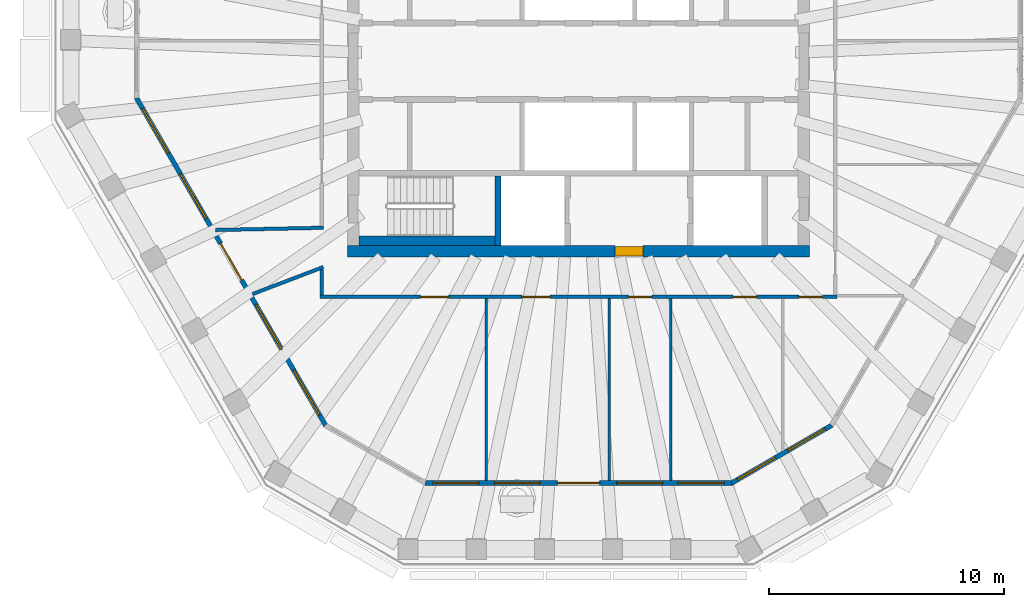
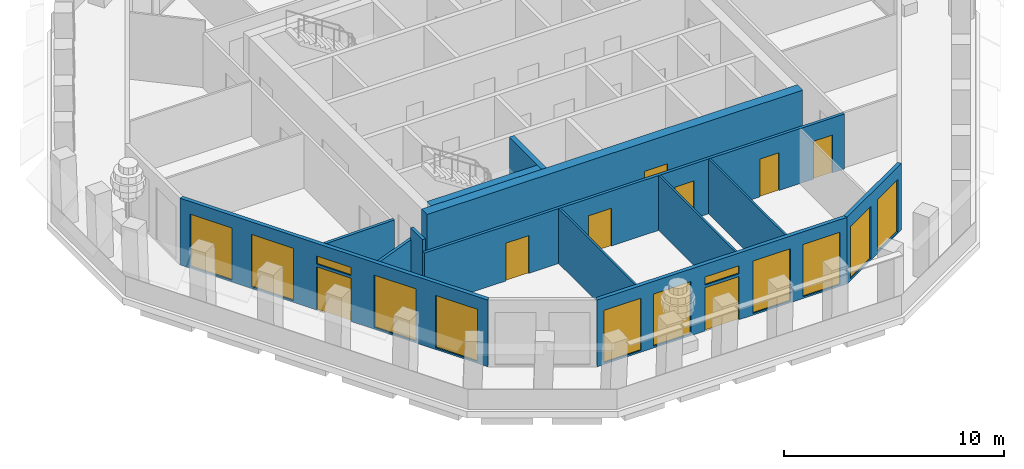
# One storey, part 3 of 11: 13 walls, 12 windows, 8 doors, 20 openings.
"""IFC4 building model written with IfcOpenShell, lengths in metres."""

from ifc_helpers import new_model, si_unit, direction, frame, frame_2d, origin, place, context, subcontext, project, spatial, polyline, rectangle, outline, extrude, material, layer, layer_set, type_object, element, fill, save


model = new_model("IFC4")

# Units and contexts
model_context = context("Model", 3, precision=1e-05, world=origin(), true_north=direction((0.0, 1.0)))
body_context = subcontext(model_context, "Body", "Model", "MODEL_VIEW")
ifc_project = project(units=[si_unit("LENGTHUNIT", "METRE"), si_unit("AREAUNIT", "SQUARE_METRE"), si_unit("VOLUMEUNIT", "CUBIC_METRE"), si_unit("PLANEANGLEUNIT", "RADIAN"), si_unit("MASSUNIT", "GRAM", prefix="KILO")], contexts=[model_context])

# Site, building, storey
site_placement = place(None, origin())
site = spatial("IfcSite", under=ifc_project, at=site_placement, CompositionType="ELEMENT")
building_placement = place(site_placement, origin())
building = spatial("IfcBuilding", under=site, at=building_placement, Name="Frailejon Research Tower", CompositionType="ELEMENT")
storey_placement = place(building_placement, frame((0.0, 0.0, 336.60009765625)))
storey = spatial("IfcBuildingStorey", under=building, at=storey_placement, Name="L75", CompositionType="ELEMENT", Elevation=336.60009765625)

# Wall, opening, door
ifc_material_1 = material(Name="Concrete C50/60", Category="concrete")
ifc_layer_1 = layer(ifc_material_1, 0.5)
ifc_layer_set_1 = layer_set([ifc_layer_1], Name="Core shear wall 500 C50/60")
wall_type_1 = type_object("IfcWallType", Name="Core shear wall 500 C50/60", PredefinedType="SHEAR", material=ifc_layer_set_1)
wall_1_placement = place(storey_placement, frame((-9.85009765625, -8.10009765625, 0.0), z_axis=(0.0, 0.0, 1.0), x_axis=(1.0, 0.0, 0.0)))
wall_1 = element("IfcWall", 1, at=wall_1_placement, inside=storey, type_object=wall_type_1, Name="Core shear wall", PredefinedType="SHEAR", context=body_context, shape_type="SweptSolid", body=[
    extrude(rectangle(XDim=19.7001953125, YDim=0.5, at=frame_2d((9.85009765625, 0.0))), origin(), (0.0, 0.0, 1.0), 3.699951171875),
])
opening_1_placement = place(wall_1_placement, frame((11.39990234375, 0.0, 0.0)))
opening_1 = element("IfcOpeningElement", 2, at=opening_1_placement, cuts=wall_1, Name="Opening D3", PredefinedType="OPENING", context=body_context, shape_type="SweptSolid", body=[
    extrude(rectangle(XDim=1.199951171875, YDim=2.10009765625, at=frame_2d((0.60009765625, 1.050048828125))), frame((0.0, 0.260009765625, 0.0), z_axis=(0.0, -1.0, 0.0), x_axis=(1.0, 0.0, 0.0)), (0.0, 0.0, 1.0), 0.52001953125),
])
ifc_material_2 = material(Name="Steel", Category="steel")
door_type_1 = type_object("IfcDoorType", Name="Firefighting lobby door", OperationType="SINGLE_SWING_LEFT", PredefinedType="DOOR", material=ifc_material_2)
door_1_placement = place(opening_1_placement, origin())
door_1 = element("IfcDoor", 3, at=door_1_placement, inside=storey, type_object=door_type_1, Name="Firefighting lobby door", OperationType="SINGLE_SWING_LEFT", OverallHeight=2.10009765625, OverallWidth=1.199951171875, PredefinedType="DOOR", context=body_context, shape_type="SweptSolid", body=[
    extrude(rectangle(XDim=1.199951171875, YDim=2.10009765625, at=frame_2d((0.60009765625, 1.050048828125))), frame((0.0, 0.199951171875, 0.0), z_axis=(0.0, -1.0, 0.0), x_axis=(1.0, 0.0, 0.0)), (0.0, 0.0, 1.0), 0.39990234375),
])
fill(opening_1, door_1)

# Wall
ifc_material_3 = material(Name="Gypsum board and masonry partition", Category="masonry")
ifc_layer_2 = layer(ifc_material_3, 0.14990234375)
ifc_layer_set_2 = layer_set([ifc_layer_2], Name="Corridor wall EI 60, gypsum on steel studs 150")
wall_type_2 = type_object("IfcWallType", Name="Corridor wall EI 60, gypsum on steel studs 150", PredefinedType="PARTITIONING", material=ifc_layer_set_2)
wall_2_placement = place(storey_placement, frame((-10.949951171875, -9.97509765625, 0.0), z_axis=(0.0, 0.0, 1.0), x_axis=(0.0, 1.0, 0.0)))
element("IfcWall", 4, at=wall_2_placement, inside=storey, type_object=wall_type_2, Name="T:IW:L75:006", PredefinedType="PARTITIONING", context=body_context, shape_type="SweptSolid", body=[
    extrude(rectangle(XDim=1.10009765625, YDim=0.14990234375, at=frame_2d((0.550048828125, 0.0))), origin(), (0.0, 0.0, 1.0), 3.699951171875),
])

# Wall, openings, doors
wall_3_placement = place(storey_placement, frame((-11.02490234375, -10.050048828125, 0.0), z_axis=(0.0, 0.0, 1.0), x_axis=(1.0, 0.0, 0.0)))
wall_3 = element("IfcWall", 5, at=wall_3_placement, inside=storey, type_object=wall_type_2, Name="T:IW:L75:008", PredefinedType="PARTITIONING", context=body_context, shape_type="SweptSolid", body=[
    extrude(rectangle(XDim=22.0498046875, YDim=0.14990234375, at=frame_2d((11.02490234375, 0.0))), origin(), (0.0, 0.0, 1.0), 3.0498046875),
])
opening_2_placement = place(wall_3_placement, frame((4.285888671875, 0.0, 0.0)))
opening_2 = element("IfcOpeningElement", 6, at=opening_2_placement, cuts=wall_3, Name="Opening D2407", PredefinedType="OPENING", context=body_context, shape_type="SweptSolid", body=[
    extrude(rectangle(XDim=1.199951171875, YDim=2.10009765625, at=frame_2d((0.60009765625, 1.050048828125))), frame((0.0, 0.0849609375, 0.0), z_axis=(0.0, -1.0, 0.0), x_axis=(1.0, 0.0, 0.0)), (0.0, 0.0, 1.0), 0.169921875),
])
opening_3_placement = place(wall_3_placement, frame((8.6123046875, 0.0, 0.0)))
opening_3 = element("IfcOpeningElement", 7, at=opening_3_placement, cuts=wall_3, Name="Opening D2408", PredefinedType="OPENING", context=body_context, shape_type="SweptSolid", body=[
    extrude(rectangle(XDim=1.199951171875, YDim=2.10009765625, at=frame_2d((0.60009765625, 1.050048828125))), frame((0.0, 0.0849609375, 0.0), z_axis=(0.0, -1.0, 0.0), x_axis=(1.0, 0.0, 0.0)), (0.0, 0.0, 1.0), 0.169921875),
])
opening_4_placement = place(wall_3_placement, frame((13.147216796875, 0.0, 0.0)))
opening_4 = element("IfcOpeningElement", 8, at=opening_4_placement, cuts=wall_3, Name="Opening D2409", PredefinedType="OPENING", context=body_context, shape_type="SweptSolid", body=[
    extrude(rectangle(XDim=1.0, YDim=2.10009765625, at=frame_2d((0.5, 1.050048828125))), frame((0.0, 0.0849609375, 0.0), z_axis=(0.0, -1.0, 0.0), x_axis=(1.0, 0.0, 0.0)), (0.0, 0.0, 1.0), 0.169921875),
])
opening_5_placement = place(wall_3_placement, frame((17.61279296875, 0.0, 0.0)))
opening_5 = element("IfcOpeningElement", 9, at=opening_5_placement, cuts=wall_3, Name="Opening D2410", PredefinedType="OPENING", context=body_context, shape_type="SweptSolid", body=[
    extrude(rectangle(XDim=1.0, YDim=2.10009765625, at=frame_2d((0.5, 1.050048828125))), frame((0.0, 0.0849609375, 0.0), z_axis=(0.0, -1.0, 0.0), x_axis=(1.0, 0.0, 0.0)), (0.0, 0.0, 1.0), 0.169921875),
])
opening_6_placement = place(wall_3_placement, frame((20.418212890625, 0.0, 0.0)))
opening_6 = element("IfcOpeningElement", 10, at=opening_6_placement, cuts=wall_3, Name="Opening D2411", PredefinedType="OPENING", context=body_context, shape_type="SweptSolid", body=[
    extrude(rectangle(XDim=1.0, YDim=2.10009765625, at=frame_2d((0.5, 1.050048828125))), frame((0.0, 0.0849609375, 0.0), z_axis=(0.0, -1.0, 0.0), x_axis=(1.0, 0.0, 0.0)), (0.0, 0.0, 1.0), 0.169921875),
])
ifc_material_4 = material(Name="Timber door leaf", Category="wood")
door_type_2 = type_object("IfcDoorType", Name="Door single leaf, timber, steel frame 1000", OperationType="NOTDEFINED", PredefinedType="DOOR", material=ifc_material_4)
door_2_placement = place(opening_4_placement, origin())
door_2 = element("IfcDoor", 11, at=door_2_placement, inside=storey, type_object=door_type_2, Name="D2409", OperationType="SINGLE_SWING_LEFT", OverallHeight=2.10009765625, OverallWidth=1.0, PredefinedType="DOOR", context=body_context, shape_type="SweptSolid", body=[
    extrude(rectangle(XDim=1.0, YDim=2.10009765625, at=frame_2d((0.5, 1.050048828125))), frame((0.0, 0.02490234375, 0.0), z_axis=(0.0, -1.0, 0.0), x_axis=(1.0, 0.0, 0.0)), (0.0, 0.0, 1.0), 0.050048828125),
])
fill(opening_4, door_2)
door_3_placement = place(opening_5_placement, origin())
door_3 = element("IfcDoor", 12, at=door_3_placement, inside=storey, type_object=door_type_2, Name="D2410", OperationType="SINGLE_SWING_LEFT", OverallHeight=2.10009765625, OverallWidth=1.0, PredefinedType="DOOR", context=body_context, shape_type="SweptSolid", body=[
    extrude(rectangle(XDim=1.0, YDim=2.10009765625, at=frame_2d((0.5, 1.050048828125))), frame((0.0, 0.02490234375, 0.0), z_axis=(0.0, -1.0, 0.0), x_axis=(1.0, 0.0, 0.0)), (0.0, 0.0, 1.0), 0.050048828125),
])
fill(opening_5, door_3)
door_4_placement = place(opening_6_placement, origin())
door_4 = element("IfcDoor", 13, at=door_4_placement, inside=storey, type_object=door_type_2, Name="D2411", OperationType="SINGLE_SWING_RIGHT", OverallHeight=2.10009765625, OverallWidth=1.0, PredefinedType="DOOR", context=body_context, shape_type="SweptSolid", body=[
    extrude(rectangle(XDim=1.0, YDim=2.10009765625, at=frame_2d((0.5, 1.050048828125))), frame((0.0, 0.02490234375, 0.0), z_axis=(0.0, -1.0, 0.0), x_axis=(1.0, 0.0, 0.0)), (0.0, 0.0, 1.0), 0.050048828125),
])
fill(opening_6, door_4)
ifc_material_5 = material(Name="Timber door leaf", Category="wood")
door_type_3 = type_object("IfcDoorType", Name="Door single leaf, timber, steel frame 1200", OperationType="NOTDEFINED", PredefinedType="DOOR", material=ifc_material_5)
door_5_placement = place(opening_2_placement, origin())
door_5 = element("IfcDoor", 14, at=door_5_placement, inside=storey, type_object=door_type_3, Name="D2407", OperationType="DOUBLE_DOOR_SINGLE_SWING", OverallHeight=2.10009765625, OverallWidth=1.199951171875, PredefinedType="DOOR", context=body_context, shape_type="SweptSolid", body=[
    extrude(rectangle(XDim=1.199951171875, YDim=2.10009765625, at=frame_2d((0.60009765625, 1.050048828125))), frame((0.0, 0.02490234375, 0.0), z_axis=(0.0, -1.0, 0.0), x_axis=(1.0, 0.0, 0.0)), (0.0, 0.0, 1.0), 0.050048828125),
])
fill(opening_2, door_5)
door_6_placement = place(opening_3_placement, origin())
door_6 = element("IfcDoor", 15, at=door_6_placement, inside=storey, type_object=door_type_3, Name="D2408", OperationType="DOUBLE_DOOR_SINGLE_SWING", OverallHeight=2.10009765625, OverallWidth=1.199951171875, PredefinedType="DOOR", context=body_context, shape_type="SweptSolid", body=[
    extrude(rectangle(XDim=1.199951171875, YDim=2.10009765625, at=frame_2d((0.60009765625, 1.050048828125))), frame((0.0, 0.02490234375, 0.0), z_axis=(0.0, -1.0, 0.0), x_axis=(1.0, 0.0, 0.0)), (0.0, 0.0, 1.0), 0.050048828125),
])
fill(opening_3, door_6)

# Walls
wall_4_placement = place(storey_placement, frame((-15.4755859375, -7.19580078125, 0.0), z_axis=(0.0, 0.0, 1.0), x_axis=(0.999775909419, 0.02116910358, 0.0)))
element("IfcWall", 16, at=wall_4_placement, inside=storey, type_object=wall_type_2, Name="T:IW:L75:009", PredefinedType="PARTITIONING", context=body_context, shape_type="SweptSolid", body=[
    extrude(rectangle(XDim=4.6015625, YDim=0.14990234375, at=frame_2d((2.30078125, 0.0))), origin(), (0.0, 0.0, 1.0), 3.0498046875),
])
wall_5_placement = place(storey_placement, frame((-13.8984375, -9.927001953125, 0.0), z_axis=(0.0, 0.0, 1.0), x_axis=(0.934087409502, 0.357044410976, 0.0)))
element("IfcWall", 17, at=wall_5_placement, inside=storey, type_object=wall_type_2, Name="T:IW:L75:010", PredefinedType="PARTITIONING", context=body_context, shape_type="SweptSolid", body=[
    extrude(rectangle(XDim=3.2314453125, YDim=0.14990234375, at=frame_2d((1.61572265625, 0.0))), origin(), (0.0, 0.0, 1.0), 3.0498046875),
])
ifc_material_6 = material(Name="Gypsum board and masonry partition", Category="masonry")
ifc_layer_3 = layer(ifc_material_6, 0.10009765625)
ifc_layer_set_3 = layer_set([ifc_layer_3], Name="Partition, gypsum on steel studs 100")
wall_type_3 = type_object("IfcWallType", Name="Partition, gypsum on steel studs 100", PredefinedType="PARTITIONING", material=ifc_layer_set_3)
for number, where, z_axis, x_axis, name in (
    (18, (-3.933349609375, -17.8798828125, 0.0), (0.0, 0.0, 1.0), (0.0, 1.0, 0.0), "T:IW:L75:020"),
    (19, (1.31103515625, -17.8798828125, 0.0), (0.0, 0.0, 1.0), (0.0, 1.0, 0.0), "T:IW:L75:021"),
    (20, (3.933349609375, -17.8798828125, 0.0), (0.0, 0.0, 1.0), (0.0, 1.0, 0.0), "T:IW:L75:022"),
):
    element("IfcWall", number, at=place(storey_placement, frame(where, z_axis=z_axis, x_axis=x_axis)), inside=storey, type_object=wall_type_3, Name=name, PredefinedType="PARTITIONING", context=body_context, shape_type="SweptSolid", body=[
        extrude(rectangle(XDim=7.7548828125, YDim=0.10009765625, at=frame_2d((3.87744140625, 0.0))), origin(), (0.0, 0.0, 1.0), 3.0498046875),
    ])
ifc_material_7 = material(Name="Concrete C50/60", Category="concrete")
ifc_layer_4 = layer(ifc_material_7, 0.25)
ifc_layer_set_4 = layer_set([ifc_layer_4], Name="Shaft wall 250 C50/60")
wall_type_4 = type_object("IfcWallType", Name="Shaft wall 250 C50/60", PredefinedType="SOLIDWALL", material=ifc_layer_set_4)
wall_6_placement = place(storey_placement, frame((-3.425048828125, -7.85009765625, 0.0), z_axis=(0.0, 0.0, 1.0), x_axis=(0.0, 1.0, 0.0)))
element("IfcWall", 21, at=wall_6_placement, inside=storey, type_object=wall_type_4, Name="Shaft wall", PredefinedType="SOLIDWALL", context=body_context, shape_type="SweptSolid", body=[
    extrude(rectangle(XDim=2.9501953125, YDim=0.25, at=frame_2d((1.47509765625, 0.0))), origin(), (0.0, 0.0, 1.0), 3.699951171875),
])
ifc_material_8 = material(Name="Concrete C50/60", Category="concrete")
ifc_layer_5 = layer(ifc_material_8, 0.39990234375)
ifc_layer_set_5 = layer_set([ifc_layer_5], Name="Shaft wall 400 C50/60")
wall_type_5 = type_object("IfcWallType", Name="Shaft wall 400 C50/60", PredefinedType="SOLIDWALL", material=ifc_layer_set_5)
wall_7_placement = place(storey_placement, frame((-9.35009765625, -7.64990234375, 0.0), z_axis=(0.0, 0.0, 1.0), x_axis=(1.0, 0.0, 0.0)))
element("IfcWall", 22, at=wall_7_placement, inside=storey, type_object=wall_type_5, Name="Shaft wall", PredefinedType="SOLIDWALL", context=body_context, shape_type="SweptSolid", body=[
    extrude(rectangle(XDim=5.800048828125, YDim=0.39990234375, at=frame_2d((2.89990234375, 0.0))), origin(), (0.0, 0.0, 1.0), 3.699951171875),
])

# Wall, openings, door, windows
ifc_material_9 = material(Name="Concrete C40/50 precast window wall panel", Category="concrete")
ifc_layer_6 = layer(ifc_material_9, 0.199951171875)
ifc_layer_set_6 = layer_set([ifc_layer_6], Name="Window wall 200")
wall_type_6 = type_object("IfcWallType", Name="Window wall 200", PredefinedType="SOLIDWALL", material=ifc_layer_set_6)
wall_8_placement = place(storey_placement, frame((-18.83544921875, -1.575927734375, 0.0), z_axis=(0.0, 0.0, 1.0), x_axis=(0.49999800388, -0.866026556242, 0.0)))
wall_8 = element("IfcWall", 23, at=wall_8_placement, inside=storey, type_object=wall_type_6, Name="Exterior wall L75", PredefinedType="SOLIDWALL", context=body_context, shape_type="SweptSolid", body=[
    extrude(outline(polyline([(-0.02685546875, -0.10009765625), (0.983154296875, -0.10009765625), (1.9931640625, -0.10009765625), (3.003173828125, -0.10009765625), (4.01318359375, -0.10009765625), (5.02294921875, -0.10009765625), (6.032958984375, -0.10009765625), (7.04296875, -0.10009765625), (8.052978515625, -0.10009765625), (9.06298828125, -0.10009765625), (10.072998046875, -0.10009765625), (11.0830078125, -0.10009765625), (12.0927734375, -0.10009765625), (13.102783203125, -0.10009765625), (14.11279296875, -0.10009765625), (15.122802734375, -0.10009765625), (16.1328125, -0.10009765625), (16.0791015625, 0.10009765625), (15.075927734375, 0.10009765625), (14.072509765625, 0.10009765625), (13.0693359375, 0.10009765625), (12.06591796875, 0.10009765625), (11.062744140625, 0.10009765625), (10.0595703125, 0.10009765625), (9.05615234375, 0.10009765625), (8.052978515625, 0.10009765625), (7.0498046875, 0.10009765625), (6.04638671875, 0.10009765625), (5.043212890625, 0.10009765625), (4.0400390625, 0.10009765625), (3.03662109375, 0.10009765625), (2.033447265625, 0.10009765625), (1.030029296875, 0.10009765625), (0.02685546875, 0.10009765625), (-0.02685546875, -0.10009765625)])), origin(), (0.0, 0.0, 1.0), 3.699951171875),
])
opening_7_placement = place(wall_8_placement, frame((0.510498046875, 0.0, 0.10009765625)))
opening_7 = element("IfcOpeningElement", 24, at=opening_7_placement, cuts=wall_8, Name="Opening W28", PredefinedType="OPENING", context=body_context, shape_type="SweptSolid", body=[
    extrude(rectangle(XDim=2.199951171875, YDim=2.89990234375, at=frame_2d((1.10009765625, 1.449951171875))), frame((0.0, 0.10986328125, 0.0), z_axis=(0.0, -1.0, 0.0), x_axis=(1.0, 0.0, 0.0)), (0.0, 0.0, 1.0), 0.219970703125),
])
opening_8_placement = place(wall_8_placement, frame((3.731689453125, 0.0, 0.10009765625)))
opening_8 = element("IfcOpeningElement", 25, at=opening_8_placement, cuts=wall_8, Name="Opening W28", PredefinedType="OPENING", context=body_context, shape_type="SweptSolid", body=[
    extrude(rectangle(XDim=2.199951171875, YDim=2.89990234375, at=frame_2d((1.10009765625, 1.449951171875))), frame((0.0, 0.10986328125, 0.0), z_axis=(0.0, -1.0, 0.0), x_axis=(1.0, 0.0, 0.0)), (0.0, 0.0, 1.0), 0.219970703125),
])
opening_9_placement = place(wall_8_placement, frame((7.153076171875, 0.0, 0.0)))
opening_9 = element("IfcOpeningElement", 26, at=opening_9_placement, cuts=wall_8, Name="Opening LG75-4", PredefinedType="OPENING", context=body_context, shape_type="SweptSolid", body=[
    extrude(rectangle(XDim=1.800048828125, YDim=2.39990234375, at=frame_2d((0.89990234375, 1.199951171875))), frame((0.0, 0.10986328125, 0.0), z_axis=(0.0, -1.0, 0.0), x_axis=(1.0, 0.0, 0.0)), (0.0, 0.0, 1.0), 0.219970703125),
])
opening_10_placement = place(wall_8_placement, frame((7.153076171875, 0.0, 2.550048828125)))
opening_10 = element("IfcOpeningElement", 27, at=opening_10_placement, cuts=wall_8, Name="Opening W1", PredefinedType="OPENING", context=body_context, shape_type="SweptSolid", body=[
    extrude(rectangle(XDim=1.800048828125, YDim=0.449951171875, at=frame_2d((0.89990234375, 0.22509765625))), frame((0.0, 0.10986328125, 0.0), z_axis=(0.0, -1.0, 0.0), x_axis=(1.0, 0.0, 0.0)), (0.0, 0.0, 1.0), 0.219970703125),
])
opening_11_placement = place(wall_8_placement, frame((10.17431640625, 0.0, 0.10009765625)))
opening_11 = element("IfcOpeningElement", 28, at=opening_11_placement, cuts=wall_8, Name="Opening W28", PredefinedType="OPENING", context=body_context, shape_type="SweptSolid", body=[
    extrude(rectangle(XDim=2.199951171875, YDim=2.89990234375, at=frame_2d((1.10009765625, 1.449951171875))), frame((0.0, 0.10986328125, 0.0), z_axis=(0.0, -1.0, 0.0), x_axis=(1.0, 0.0, 0.0)), (0.0, 0.0, 1.0), 0.219970703125),
])
opening_12_placement = place(wall_8_placement, frame((13.3955078125, 0.0, 0.10009765625)))
opening_12 = element("IfcOpeningElement", 29, at=opening_12_placement, cuts=wall_8, Name="Opening W28", PredefinedType="OPENING", context=body_context, shape_type="SweptSolid", body=[
    extrude(rectangle(XDim=2.199951171875, YDim=2.89990234375, at=frame_2d((1.10009765625, 1.449951171875))), frame((0.0, 0.10986328125, 0.0), z_axis=(0.0, -1.0, 0.0), x_axis=(1.0, 0.0, 0.0)), (0.0, 0.0, 1.0), 0.219970703125),
])
ifc_material_10 = material(Name="Aluminium framed glazed door leaf", Category="aluminium")
door_type_4 = type_object("IfcDoorType", Name="Loggia door 1800x2400", OperationType="DOUBLE_DOOR_SINGLE_SWING", PredefinedType="DOOR", material=ifc_material_10)
door_7_placement = place(opening_9_placement, origin())
door_7 = element("IfcDoor", 30, at=door_7_placement, inside=storey, type_object=door_type_4, Name="Door LG75-4", OperationType="DOUBLE_DOOR_SINGLE_SWING", OverallHeight=2.39990234375, OverallWidth=1.800048828125, PredefinedType="DOOR", context=body_context, shape_type="SweptSolid", body=[
    extrude(rectangle(XDim=1.800048828125, YDim=2.39990234375, at=frame_2d((0.89990234375, 1.199951171875))), frame((0.0, 0.02490234375, 0.0), z_axis=(0.0, -1.0, 0.0), x_axis=(1.0, 0.0, 0.0)), (0.0, 0.0, 1.0), 0.050048828125),
])
fill(opening_9, door_7)
ifc_material_11 = material(Name="Aluminium framed double glazing", Category="aluminium")
window_type_1 = type_object("IfcWindowType", Name="Window 1800x450", PartitioningType="SINGLE_PANEL", PredefinedType="WINDOW", material=ifc_material_11)
window_1_placement = place(opening_10_placement, origin())
window_1 = element("IfcWindow", 31, at=window_1_placement, inside=storey, type_object=window_type_1, Name="Window L75", OverallHeight=0.449951171875, OverallWidth=1.800048828125, PartitioningType="SINGLE_PANEL", PredefinedType="WINDOW", context=body_context, shape_type="SweptSolid", body=[
    extrude(rectangle(XDim=1.800048828125, YDim=0.449951171875, at=frame_2d((0.89990234375, 0.22509765625))), frame((0.0, 0.030029296875, 0.0), z_axis=(0.0, -1.0, 0.0), x_axis=(1.0, 0.0, 0.0)), (0.0, 0.0, 1.0), 0.06005859375),
])
fill(opening_10, window_1)
ifc_material_12 = material(Name="Aluminium framed double glazing", Category="aluminium")
window_type_2 = type_object("IfcWindowType", Name="Window 2200x2900", PartitioningType="SINGLE_PANEL", PredefinedType="WINDOW", material=ifc_material_12)
window_2_placement = place(opening_7_placement, origin())
window_2 = element("IfcWindow", 32, at=window_2_placement, inside=storey, type_object=window_type_2, Name="Window L75", OverallHeight=2.89990234375, OverallWidth=2.199951171875, PartitioningType="SINGLE_PANEL", PredefinedType="WINDOW", context=body_context, shape_type="SweptSolid", body=[
    extrude(rectangle(XDim=2.199951171875, YDim=2.89990234375, at=frame_2d((1.10009765625, 1.449951171875))), frame((0.0, 0.030029296875, 0.0), z_axis=(0.0, -1.0, 0.0), x_axis=(1.0, 0.0, 0.0)), (0.0, 0.0, 1.0), 0.06005859375),
])
fill(opening_7, window_2)
window_3_placement = place(opening_8_placement, origin())
window_3 = element("IfcWindow", 33, at=window_3_placement, inside=storey, type_object=window_type_2, Name="Window L75", OverallHeight=2.89990234375, OverallWidth=2.199951171875, PartitioningType="SINGLE_PANEL", PredefinedType="WINDOW", context=body_context, shape_type="SweptSolid", body=[
    extrude(rectangle(XDim=2.199951171875, YDim=2.89990234375, at=frame_2d((1.10009765625, 1.449951171875))), frame((0.0, 0.030029296875, 0.0), z_axis=(0.0, -1.0, 0.0), x_axis=(1.0, 0.0, 0.0)), (0.0, 0.0, 1.0), 0.06005859375),
])
fill(opening_8, window_3)
window_4_placement = place(opening_11_placement, origin())
window_4 = element("IfcWindow", 34, at=window_4_placement, inside=storey, type_object=window_type_2, Name="Window L75", OverallHeight=2.89990234375, OverallWidth=2.199951171875, PartitioningType="SINGLE_PANEL", PredefinedType="WINDOW", context=body_context, shape_type="SweptSolid", body=[
    extrude(rectangle(XDim=2.199951171875, YDim=2.89990234375, at=frame_2d((1.10009765625, 1.449951171875))), frame((0.0, 0.030029296875, 0.0), z_axis=(0.0, -1.0, 0.0), x_axis=(1.0, 0.0, 0.0)), (0.0, 0.0, 1.0), 0.06005859375),
])
fill(opening_11, window_4)
window_5_placement = place(opening_12_placement, origin())
window_5 = element("IfcWindow", 35, at=window_5_placement, inside=storey, type_object=window_type_2, Name="Window L75", OverallHeight=2.89990234375, OverallWidth=2.199951171875, PartitioningType="SINGLE_PANEL", PredefinedType="WINDOW", context=body_context, shape_type="SweptSolid", body=[
    extrude(rectangle(XDim=2.199951171875, YDim=2.89990234375, at=frame_2d((1.10009765625, 1.449951171875))), frame((0.0, 0.030029296875, 0.0), z_axis=(0.0, -1.0, 0.0), x_axis=(1.0, 0.0, 0.0)), (0.0, 0.0, 1.0), 0.06005859375),
])
fill(opening_12, window_5)

wall_9_placement = place(storey_placement, frame((-6.52880859375, -17.97998046875, 0.0), z_axis=(0.0, 0.0, 1.0), x_axis=(1.0, 0.0, 0.0)))
wall_9 = element("IfcWall", 36, at=wall_9_placement, inside=storey, type_object=wall_type_6, Name="Exterior wall L75", PredefinedType="SOLIDWALL", context=body_context, shape_type="SweptSolid", body=[
    extrude(outline(polyline([(-0.02685546875, -0.10009765625), (0.981689453125, -0.10009765625), (1.990234375, -0.10009765625), (2.998779296875, -0.10009765625), (4.00732421875, -0.10009765625), (5.015869140625, -0.10009765625), (6.0244140625, -0.10009765625), (7.033203125, -0.10009765625), (8.041748046875, -0.10009765625), (9.05029296875, -0.10009765625), (10.058837890625, -0.10009765625), (11.0673828125, -0.10009765625), (12.075927734375, -0.10009765625), (13.08447265625, -0.10009765625), (13.03076171875, 0.10009765625), (12.030517578125, 0.10009765625), (11.0302734375, 0.10009765625), (10.02978515625, 0.10009765625), (9.029541015625, 0.10009765625), (8.029296875, 0.10009765625), (7.029052734375, 0.10009765625), (6.028564453125, 0.10009765625), (5.0283203125, 0.10009765625), (4.028076171875, 0.10009765625), (3.02783203125, 0.10009765625), (2.02734375, 0.10009765625), (1.027099609375, 0.10009765625), (0.02685546875, 0.10009765625), (-0.02685546875, -0.10009765625)])), origin(), (0.0, 0.0, 1.0), 3.699951171875),
])
opening_13_placement = place(wall_9_placement, frame((0.330810546875, 0.0, 0.10009765625)))
opening_13 = element("IfcOpeningElement", 37, at=opening_13_placement, cuts=wall_9, Name="Opening W27", PredefinedType="OPENING", context=body_context, shape_type="SweptSolid", body=[
    extrude(rectangle(XDim=1.949951171875, YDim=2.89990234375, at=frame_2d((0.97509765625, 1.449951171875))), frame((0.0, 0.10986328125, 0.0), z_axis=(0.0, -1.0, 0.0), x_axis=(1.0, 0.0, 0.0)), (0.0, 0.0, 1.0), 0.219970703125),
])
opening_14_placement = place(wall_9_placement, frame((2.9423828125, 0.0, 0.10009765625)))
opening_14 = element("IfcOpeningElement", 38, at=opening_14_placement, cuts=wall_9, Name="Opening W27", PredefinedType="OPENING", context=body_context, shape_type="SweptSolid", body=[
    extrude(rectangle(XDim=1.949951171875, YDim=2.89990234375, at=frame_2d((0.97509765625, 1.449951171875))), frame((0.0, 0.10986328125, 0.0), z_axis=(0.0, -1.0, 0.0), x_axis=(1.0, 0.0, 0.0)), (0.0, 0.0, 1.0), 0.219970703125),
])
opening_15_placement = place(wall_9_placement, frame((5.62890625, 0.0, 0.0)))
opening_15 = element("IfcOpeningElement", 39, at=opening_15_placement, cuts=wall_9, Name="Opening LG75-5", PredefinedType="OPENING", context=body_context, shape_type="SweptSolid", body=[
    extrude(rectangle(XDim=1.800048828125, YDim=2.39990234375, at=frame_2d((0.89990234375, 1.199951171875))), frame((0.0, 0.10986328125, 0.0), z_axis=(0.0, -1.0, 0.0), x_axis=(1.0, 0.0, 0.0)), (0.0, 0.0, 1.0), 0.219970703125),
])
opening_16_placement = place(wall_9_placement, frame((5.62890625, 0.0, 2.550048828125)))
opening_16 = element("IfcOpeningElement", 40, at=opening_16_placement, cuts=wall_9, Name="Opening W1", PredefinedType="OPENING", context=body_context, shape_type="SweptSolid", body=[
    extrude(rectangle(XDim=1.800048828125, YDim=0.449951171875, at=frame_2d((0.89990234375, 0.22509765625))), frame((0.0, 0.10986328125, 0.0), z_axis=(0.0, -1.0, 0.0), x_axis=(1.0, 0.0, 0.0)), (0.0, 0.0, 1.0), 0.219970703125),
])
opening_17_placement = place(wall_9_placement, frame((8.16552734375, 0.0, 0.10009765625)))
opening_17 = element("IfcOpeningElement", 41, at=opening_17_placement, cuts=wall_9, Name="Opening W27", PredefinedType="OPENING", context=body_context, shape_type="SweptSolid", body=[
    extrude(rectangle(XDim=1.949951171875, YDim=2.89990234375, at=frame_2d((0.97509765625, 1.449951171875))), frame((0.0, 0.10986328125, 0.0), z_axis=(0.0, -1.0, 0.0), x_axis=(1.0, 0.0, 0.0)), (0.0, 0.0, 1.0), 0.219970703125),
])
opening_18_placement = place(wall_9_placement, frame((10.777099609375, 0.0, 0.10009765625)))
opening_18 = element("IfcOpeningElement", 42, at=opening_18_placement, cuts=wall_9, Name="Opening W27", PredefinedType="OPENING", context=body_context, shape_type="SweptSolid", body=[
    extrude(rectangle(XDim=1.949951171875, YDim=2.89990234375, at=frame_2d((0.97509765625, 1.449951171875))), frame((0.0, 0.10986328125, 0.0), z_axis=(0.0, -1.0, 0.0), x_axis=(1.0, 0.0, 0.0)), (0.0, 0.0, 1.0), 0.219970703125),
])
door_8_placement = place(opening_15_placement, origin())
door_8 = element("IfcDoor", 43, at=door_8_placement, inside=storey, type_object=door_type_4, Name="Door LG75-5", OperationType="DOUBLE_DOOR_SINGLE_SWING", OverallHeight=2.39990234375, OverallWidth=1.800048828125, PredefinedType="DOOR", context=body_context, shape_type="SweptSolid", body=[
    extrude(rectangle(XDim=1.800048828125, YDim=2.39990234375, at=frame_2d((0.89990234375, 1.199951171875))), frame((0.0, 0.02490234375, 0.0), z_axis=(0.0, -1.0, 0.0), x_axis=(1.0, 0.0, 0.0)), (0.0, 0.0, 1.0), 0.050048828125),
])
fill(opening_15, door_8)
window_6_placement = place(opening_16_placement, origin())
window_6 = element("IfcWindow", 44, at=window_6_placement, inside=storey, type_object=window_type_1, Name="Window L75", OverallHeight=0.449951171875, OverallWidth=1.800048828125, PartitioningType="SINGLE_PANEL", PredefinedType="WINDOW", context=body_context, shape_type="SweptSolid", body=[
    extrude(rectangle(XDim=1.800048828125, YDim=0.449951171875, at=frame_2d((0.89990234375, 0.22509765625))), frame((0.0, 0.030029296875, 0.0), z_axis=(0.0, -1.0, 0.0), x_axis=(1.0, 0.0, 0.0)), (0.0, 0.0, 1.0), 0.06005859375),
])
fill(opening_16, window_6)
ifc_material_13 = material(Name="Aluminium framed double glazing", Category="aluminium")
window_type_3 = type_object("IfcWindowType", Name="Window 1950x2900", PartitioningType="SINGLE_PANEL", PredefinedType="WINDOW", material=ifc_material_13)
window_7_placement = place(opening_13_placement, origin())
window_7 = element("IfcWindow", 45, at=window_7_placement, inside=storey, type_object=window_type_3, Name="Window L75", OverallHeight=2.89990234375, OverallWidth=1.949951171875, PartitioningType="SINGLE_PANEL", PredefinedType="WINDOW", context=body_context, shape_type="SweptSolid", body=[
    extrude(rectangle(XDim=1.949951171875, YDim=2.89990234375, at=frame_2d((0.97509765625, 1.449951171875))), frame((0.0, 0.030029296875, 0.0), z_axis=(0.0, -1.0, 0.0), x_axis=(1.0, 0.0, 0.0)), (0.0, 0.0, 1.0), 0.06005859375),
])
fill(opening_13, window_7)
window_8_placement = place(opening_14_placement, origin())
window_8 = element("IfcWindow", 46, at=window_8_placement, inside=storey, type_object=window_type_3, Name="Window L75", OverallHeight=2.89990234375, OverallWidth=1.949951171875, PartitioningType="SINGLE_PANEL", PredefinedType="WINDOW", context=body_context, shape_type="SweptSolid", body=[
    extrude(rectangle(XDim=1.949951171875, YDim=2.89990234375, at=frame_2d((0.97509765625, 1.449951171875))), frame((0.0, 0.030029296875, 0.0), z_axis=(0.0, -1.0, 0.0), x_axis=(1.0, 0.0, 0.0)), (0.0, 0.0, 1.0), 0.06005859375),
])
fill(opening_14, window_8)
window_9_placement = place(opening_17_placement, origin())
window_9 = element("IfcWindow", 47, at=window_9_placement, inside=storey, type_object=window_type_3, Name="Window L75", OverallHeight=2.89990234375, OverallWidth=1.949951171875, PartitioningType="SINGLE_PANEL", PredefinedType="WINDOW", context=body_context, shape_type="SweptSolid", body=[
    extrude(rectangle(XDim=1.949951171875, YDim=2.89990234375, at=frame_2d((0.97509765625, 1.449951171875))), frame((0.0, 0.030029296875, 0.0), z_axis=(0.0, -1.0, 0.0), x_axis=(1.0, 0.0, 0.0)), (0.0, 0.0, 1.0), 0.06005859375),
])
fill(opening_17, window_9)
window_10_placement = place(opening_18_placement, origin())
window_10 = element("IfcWindow", 48, at=window_10_placement, inside=storey, type_object=window_type_3, Name="Window L75", OverallHeight=2.89990234375, OverallWidth=1.949951171875, PartitioningType="SINGLE_PANEL", PredefinedType="WINDOW", context=body_context, shape_type="SweptSolid", body=[
    extrude(rectangle(XDim=1.949951171875, YDim=2.89990234375, at=frame_2d((0.97509765625, 1.449951171875))), frame((0.0, 0.030029296875, 0.0), z_axis=(0.0, -1.0, 0.0), x_axis=(1.0, 0.0, 0.0)), (0.0, 0.0, 1.0), 0.06005859375),
])
fill(opening_18, window_10)

# Wall, openings, windows
wall_10_placement = place(storey_placement, frame((6.52880859375, -17.97998046875, 0.0), z_axis=(0.0, 0.0, 1.0), x_axis=(0.866029143232, 0.499993523031, 0.0)))
wall_10 = element("IfcWall", 49, at=wall_10_placement, inside=storey, type_object=wall_type_6, Name="Exterior wall L75", PredefinedType="SOLIDWALL", context=body_context, shape_type="SweptSolid", body=[
    extrude(outline(polyline([(-0.02685546875, -0.10009765625), (1.21435546875, -0.10009765625), (2.455810546875, -0.10009765625), (3.697265625, -0.10009765625), (4.9384765625, -0.10009765625), (4.884765625, 0.10009765625), (3.67041015625, 0.10009765625), (2.455810546875, 0.10009765625), (1.2412109375, 0.10009765625), (0.02685546875, 0.10009765625), (-0.02685546875, -0.10009765625)])), origin(), (0.0, 0.0, 1.0), 3.699951171875),
])
opening_19_placement = place(wall_10_placement, frame((0.302978515625, 0.0, 0.10009765625)))
opening_19 = element("IfcOpeningElement", 50, at=opening_19_placement, cuts=wall_10, Name="Opening W26", PredefinedType="OPENING", context=body_context, shape_type="SweptSolid", body=[
    extrude(rectangle(XDim=1.85009765625, YDim=2.89990234375, at=frame_2d((0.925048828125, 1.449951171875))), frame((0.0, 0.10986328125, 0.0), z_axis=(0.0, -1.0, 0.0), x_axis=(1.0, 0.0, 0.0)), (0.0, 0.0, 1.0), 0.219970703125),
])
opening_20_placement = place(wall_10_placement, frame((2.7587890625, 0.0, 0.10009765625)))
opening_20 = element("IfcOpeningElement", 51, at=opening_20_placement, cuts=wall_10, Name="Opening W26", PredefinedType="OPENING", context=body_context, shape_type="SweptSolid", body=[
    extrude(rectangle(XDim=1.85009765625, YDim=2.89990234375, at=frame_2d((0.925048828125, 1.449951171875))), frame((0.0, 0.10986328125, 0.0), z_axis=(0.0, -1.0, 0.0), x_axis=(1.0, 0.0, 0.0)), (0.0, 0.0, 1.0), 0.219970703125),
])
ifc_material_14 = material(Name="Aluminium framed double glazing", Category="aluminium")
window_type_4 = type_object("IfcWindowType", Name="Window 1850x2900", PartitioningType="SINGLE_PANEL", PredefinedType="WINDOW", material=ifc_material_14)
window_11_placement = place(opening_19_placement, origin())
window_11 = element("IfcWindow", 52, at=window_11_placement, inside=storey, type_object=window_type_4, Name="Window L75", OverallHeight=2.89990234375, OverallWidth=1.85009765625, PartitioningType="SINGLE_PANEL", PredefinedType="WINDOW", context=body_context, shape_type="SweptSolid", body=[
    extrude(rectangle(XDim=1.85009765625, YDim=2.89990234375, at=frame_2d((0.925048828125, 1.449951171875))), frame((0.0, 0.030029296875, 0.0), z_axis=(0.0, -1.0, 0.0), x_axis=(1.0, 0.0, 0.0)), (0.0, 0.0, 1.0), 0.06005859375),
])
fill(opening_19, window_11)
window_12_placement = place(opening_20_placement, origin())
window_12 = element("IfcWindow", 53, at=window_12_placement, inside=storey, type_object=window_type_4, Name="Window L75", OverallHeight=2.89990234375, OverallWidth=1.85009765625, PartitioningType="SINGLE_PANEL", PredefinedType="WINDOW", context=body_context, shape_type="SweptSolid", body=[
    extrude(rectangle(XDim=1.85009765625, YDim=2.89990234375, at=frame_2d((0.925048828125, 1.449951171875))), frame((0.0, 0.030029296875, 0.0), z_axis=(0.0, -1.0, 0.0), x_axis=(1.0, 0.0, 0.0)), (0.0, 0.0, 1.0), 0.06005859375),
])
fill(opening_20, window_12)

save(model, "model.ifc")
